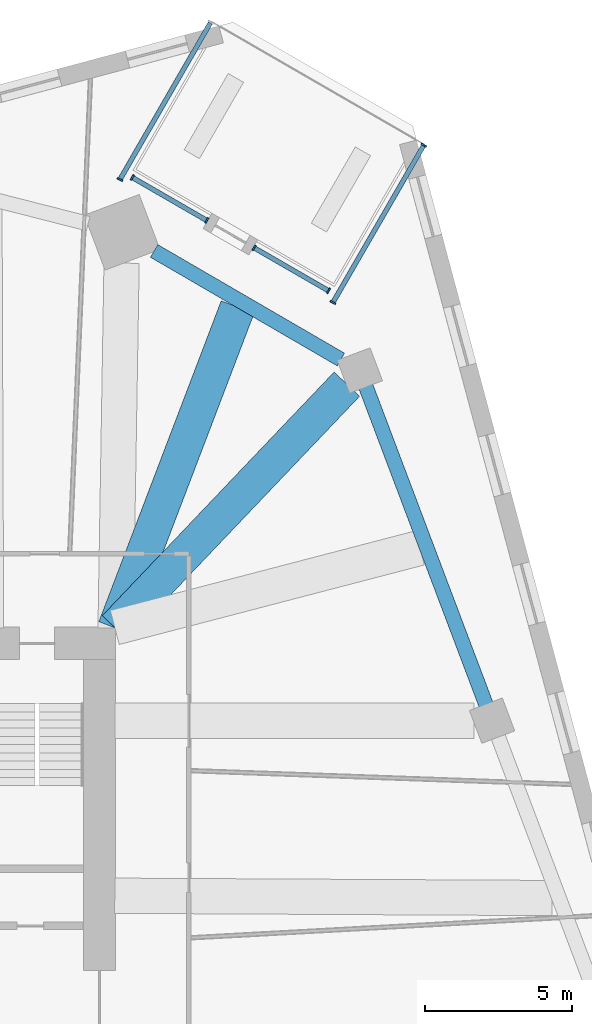
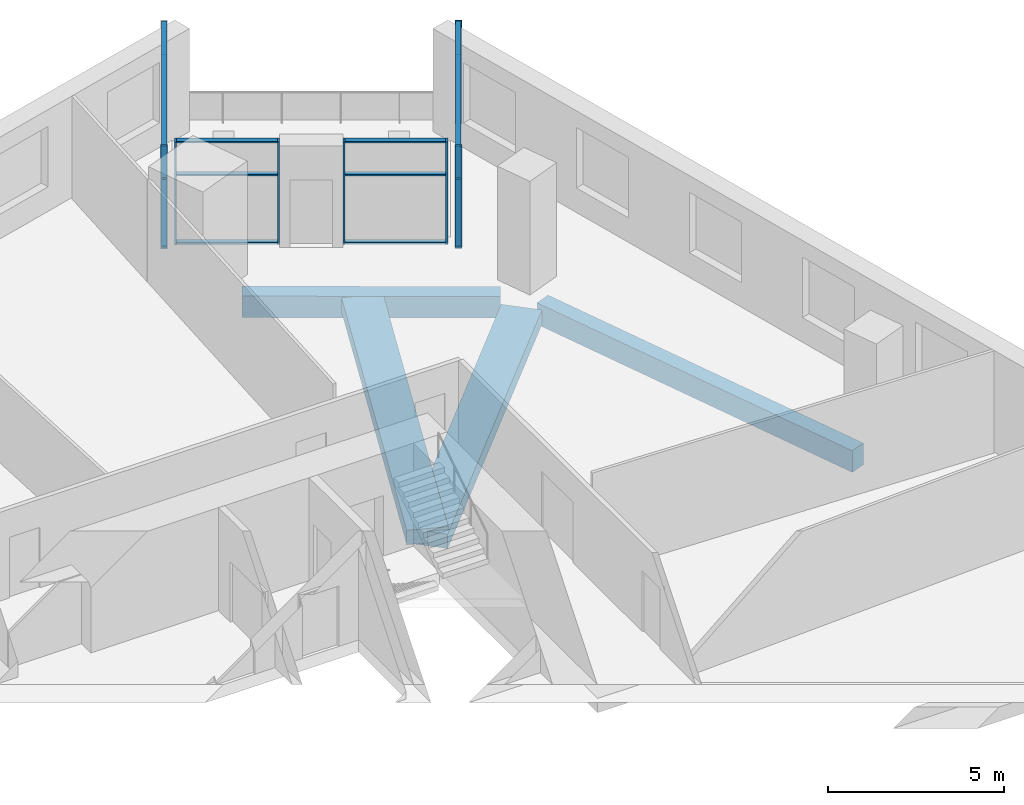
# One storey, part 2 of 13: 19 members, 4 beams, 4 elements without a shape of their own.
"""IFC4 building model written with IfcOpenShell, lengths in metres."""

from ifc_helpers import new_model, si_unit, direction, frame, origin, origin_2d, place, context, subcontext, project, spatial, rectangle, extrude, material, material_profile, profile_set, type_object, element, aggregate, save


model = new_model("IFC4")

# Units and contexts
model_context = context("Model", 3, precision=1e-05, world=origin(), true_north=direction((0.0, 1.0)))
body_context = subcontext(model_context, "Body", "Model", "MODEL_VIEW")
ifc_project = project(units=[si_unit("LENGTHUNIT", "METRE"), si_unit("AREAUNIT", "SQUARE_METRE"), si_unit("VOLUMEUNIT", "CUBIC_METRE"), si_unit("PLANEANGLEUNIT", "RADIAN"), si_unit("MASSUNIT", "GRAM", prefix="KILO")], contexts=[model_context])

# Site, building, storey
site_placement = place(None, origin())
site = spatial("IfcSite", under=ifc_project, at=site_placement, CompositionType="ELEMENT")
building_placement = place(site_placement, origin())
building = spatial("IfcBuilding", under=site, at=building_placement, Name="Dilmun Exchange Tower", CompositionType="ELEMENT")
storey_placement = place(building_placement, frame((0.0, 0.0, 86.10009765625)))
storey = spatial("IfcBuildingStorey", under=building, at=storey_placement, Name="L19", CompositionType="ELEMENT", Elevation=86.10009765625)

# Curtain wall, members
ifc_material_1 = material(Name="Anodised aluminium and clear glass", Category="aluminium")
curtain_wall_type = type_object("IfcCurtainWallType", Name="Garden corner glazing", PredefinedType="NOTDEFINED", material=ifc_material_1)
curtain_wall_1_placement = place(storey_placement, origin())
curtain_wall_1 = element("IfcCurtainWall", 1, at=curtain_wall_1_placement, inside=storey, type_object=curtain_wall_type, Name="Garden corner glazing run GC1.1", PredefinedType="NOTDEFINED")
ifc_material_2 = material(Name="Anodised aluminium", Category="aluminium")
ifc_material_profile_1 = material_profile(ifc_material_2, rectangle(XDim=0.199951171875, YDim=0.06005859375, at=origin_2d()), Name="AL 60x200")
ifc_profile_set_1 = profile_set([ifc_material_profile_1], Name="Anodised aluminium")
member_type_1 = type_object("IfcMemberType", Name="Garden corner glazing mullion 60 x 200", PredefinedType="MULLION", material=ifc_profile_set_1)
member_1_placement = place(storey_placement, frame((23.399169921875, 29.322021484375, 0.0), z_axis=(0.0, 0.0, 1.0), x_axis=(0.866020829694, -0.500007922473, 0.0)))
member_1 = element("IfcMember", 2, at=member_1_placement, type_object=member_type_1, Name="GC1.1 mullion 1", PredefinedType="MULLION", context=body_context, shape_type="SweptSolid", body=[
    extrude(rectangle(XDim=0.199951171875, YDim=0.06005859375, at=origin_2d()), origin(), (0.0, 0.0, 1.0), 3.579833984375),
])
member_2_placement = place(storey_placement, frame((20.305908203125, 23.96435546875, 0.0), z_axis=(0.0, 0.0, 1.0), x_axis=(0.866020829694, -0.500007922473, 0.0)))
member_2 = element("IfcMember", 3, at=member_2_placement, type_object=member_type_1, Name="GC1.1 mullion 2", PredefinedType="MULLION", context=body_context, shape_type="SweptSolid", body=[
    extrude(rectangle(XDim=0.199951171875, YDim=0.06005859375, at=origin_2d()), origin(), (0.0, 0.0, 1.0), 3.579833984375),
])

curtain_wall_2_placement = place(storey_placement, origin())
curtain_wall_2 = element("IfcCurtainWall", 4, at=curtain_wall_2_placement, inside=storey, type_object=curtain_wall_type, Name="Garden corner glazing run GC2.1", PredefinedType="NOTDEFINED")
member_3_placement = place(storey_placement, frame((20.155029296875, 24.363037109375, 0.0), z_axis=(0.0, 0.0, 1.0), x_axis=(-0.500017838036, -0.866015104744, 0.0)))
member_3 = element("IfcMember", 5, at=member_3_placement, type_object=member_type_1, Name="GC2.1 mullion 1", PredefinedType="MULLION", context=body_context, shape_type="SweptSolid", body=[
    extrude(rectangle(XDim=0.199951171875, YDim=0.06005859375, at=origin_2d()), origin(), (0.0, 0.0, 1.0), 3.579833984375),
])
member_4_placement = place(storey_placement, frame((17.618408203125, 25.82763671875, 0.0), z_axis=(0.0, 0.0, 1.0), x_axis=(-0.500017838036, -0.866015104744, 0.0)))
member_4 = element("IfcMember", 6, at=member_4_placement, type_object=member_type_1, Name="GC2.1 mullion 2", PredefinedType="MULLION", context=body_context, shape_type="SweptSolid", body=[
    extrude(rectangle(XDim=0.199951171875, YDim=0.06005859375, at=origin_2d()), origin(), (0.0, 0.0, 1.0), 3.579833984375),
])

curtain_wall_3_placement = place(storey_placement, origin())
curtain_wall_3 = element("IfcCurtainWall", 7, at=curtain_wall_3_placement, inside=storey, type_object=curtain_wall_type, Name="Garden corner glazing run GC2.3", PredefinedType="NOTDEFINED")
member_5_placement = place(storey_placement, frame((16.0078125, 26.7578125, 0.0), z_axis=(0.0, 0.0, 1.0), x_axis=(-0.499978260611, -0.866037954663, 0.0)))
member_5 = element("IfcMember", 8, at=member_5_placement, type_object=member_type_1, Name="GC2.3 mullion 1", PredefinedType="MULLION", context=body_context, shape_type="SweptSolid", body=[
    extrude(rectangle(XDim=0.199951171875, YDim=0.06005859375, at=origin_2d()), origin(), (0.0, 0.0, 1.0), 3.579833984375),
])
member_6_placement = place(storey_placement, frame((13.470947265625, 28.22216796875, 0.0), z_axis=(0.0, 0.0, 1.0), x_axis=(-0.499978260611, -0.866037954663, 0.0)))
member_6 = element("IfcMember", 9, at=member_6_placement, type_object=member_type_1, Name="GC2.3 mullion 2", PredefinedType="MULLION", context=body_context, shape_type="SweptSolid", body=[
    extrude(rectangle(XDim=0.199951171875, YDim=0.06005859375, at=origin_2d()), origin(), (0.0, 0.0, 1.0), 3.579833984375),
])

# Curtain wall, member
curtain_wall_4_placement = place(storey_placement, origin())
curtain_wall_4 = element("IfcCurtainWall", 10, at=curtain_wall_4_placement, inside=storey, type_object=curtain_wall_type, Name="Garden corner glazing run GC3.1", PredefinedType="NOTDEFINED")
member_7_placement = place(storey_placement, frame((13.05029296875, 28.1533203125, 0.0), z_axis=(0.0, 0.0, 1.0), x_axis=(-0.866027761828, 0.499995915726, 0.0)))
member_7 = element("IfcMember", 11, at=member_7_placement, type_object=member_type_1, Name="GC3.1 mullion 1", PredefinedType="MULLION", context=body_context, shape_type="SweptSolid", body=[
    extrude(rectangle(XDim=0.199951171875, YDim=0.06005859375, at=origin_2d()), origin(), (0.0, 0.0, 1.0), 3.579833984375),
])

# Member
ifc_material_profile_2 = material_profile(ifc_material_2, rectangle(XDim=0.159912109375, YDim=0.06005859375, at=origin_2d()), Name="AL 60x160")
ifc_profile_set_2 = profile_set([ifc_material_profile_2], Name="Anodised aluminium")
member_type_2 = type_object("IfcMemberType", Name="Garden corner glazing transom 60 x 160", PredefinedType="USERDEFINED", material=ifc_profile_set_2)
member_8_placement = place(storey_placement, frame((23.38427734375, 29.2958984375, 0.02978515625), z_axis=(-0.500030602552, -0.866007734672, 0.0), x_axis=(0.866007734672, -0.500030602552, 0.0)))
member_8 = element("IfcMember", 12, at=member_8_placement, type_object=member_type_2, Name="GC1.1 transom 1.1", ObjectType="TRANSOM", PredefinedType="USERDEFINED", context=body_context, shape_type="SweptSolid", body=[
    extrude(rectangle(XDim=0.159912109375, YDim=0.06005859375, at=origin_2d()), origin(), (0.0, 0.0, 1.0), 6.12646484375),
])

member_9_placement = place(storey_placement, frame((23.38427734375, 29.2958984375, 2.39990234375), z_axis=(-0.500030602552, -0.866007734672, 0.0), x_axis=(0.866007734672, -0.500030602552, 0.0)))
member_9 = element("IfcMember", 13, at=member_9_placement, type_object=member_type_2, Name="GC1.1 transom 1.2", ObjectType="TRANSOM", PredefinedType="USERDEFINED", context=body_context, shape_type="SweptSolid", body=[
    extrude(rectangle(XDim=0.159912109375, YDim=0.06005859375, at=origin_2d()), origin(), (0.0, 0.0, 1.0), 6.12646484375),
])

member_10_placement = place(storey_placement, frame((23.38427734375, 29.2958984375, 3.5498046875), z_axis=(-0.500030602552, -0.866007734672, 0.0), x_axis=(0.866007734672, -0.500030602552, 0.0)))
member_10 = element("IfcMember", 14, at=member_10_placement, type_object=member_type_2, Name="GC1.1 transom 1.3", ObjectType="TRANSOM", PredefinedType="USERDEFINED", context=body_context, shape_type="SweptSolid", body=[
    extrude(rectangle(XDim=0.159912109375, YDim=0.06005859375, at=origin_2d()), origin(), (0.0, 0.0, 1.0), 6.12646484375),
])

aggregate(curtain_wall_1, [member_1, member_2, member_8, member_9, member_10])

member_11_placement = place(storey_placement, frame((20.129150390625, 24.378173828125, 0.02978515625), z_axis=(-0.866014116846, 0.500019549041, 0.0), x_axis=(-0.500019549041, -0.866014116846, 0.0)))
member_11 = element("IfcMember", 15, at=member_11_placement, type_object=member_type_2, Name="GC2.1 transom 1.1", ObjectType="TRANSOM", PredefinedType="USERDEFINED", context=body_context, shape_type="SweptSolid", body=[
    extrude(rectangle(XDim=0.159912109375, YDim=0.06005859375, at=origin_2d()), origin(), (0.0, 0.0, 1.0), 2.869140625),
])

member_12_placement = place(storey_placement, frame((20.129150390625, 24.378173828125, 2.39990234375), z_axis=(-0.866014116846, 0.500019549041, 0.0), x_axis=(-0.500019549041, -0.866014116846, 0.0)))
member_12 = element("IfcMember", 16, at=member_12_placement, type_object=member_type_2, Name="GC2.1 transom 1.2", ObjectType="TRANSOM", PredefinedType="USERDEFINED", context=body_context, shape_type="SweptSolid", body=[
    extrude(rectangle(XDim=0.159912109375, YDim=0.06005859375, at=origin_2d()), origin(), (0.0, 0.0, 1.0), 2.869140625),
])

member_13_placement = place(storey_placement, frame((20.129150390625, 24.378173828125, 3.5498046875), z_axis=(-0.866014116846, 0.500019549041, 0.0), x_axis=(-0.500019549041, -0.866014116846, 0.0)))
member_13 = element("IfcMember", 17, at=member_13_placement, type_object=member_type_2, Name="GC2.1 transom 1.3", ObjectType="TRANSOM", PredefinedType="USERDEFINED", context=body_context, shape_type="SweptSolid", body=[
    extrude(rectangle(XDim=0.159912109375, YDim=0.06005859375, at=origin_2d()), origin(), (0.0, 0.0, 1.0), 2.869140625),
])

aggregate(curtain_wall_2, [member_3, member_4, member_11, member_12, member_13])

member_14_placement = place(storey_placement, frame((15.981689453125, 26.772705078125, 0.02978515625), z_axis=(-0.866014116846, 0.500019549041, 0.0), x_axis=(-0.500019549041, -0.866014116846, 0.0)))
member_14 = element("IfcMember", 18, at=member_14_placement, type_object=member_type_2, Name="GC2.3 transom 1.1", ObjectType="TRANSOM", PredefinedType="USERDEFINED", context=body_context, shape_type="SweptSolid", body=[
    extrude(rectangle(XDim=0.159912109375, YDim=0.06005859375, at=origin_2d()), origin(), (0.0, 0.0, 1.0), 2.869140625),
])

member_15_placement = place(storey_placement, frame((15.981689453125, 26.772705078125, 2.39990234375), z_axis=(-0.866014116846, 0.500019549041, 0.0), x_axis=(-0.500019549041, -0.866014116846, 0.0)))
member_15 = element("IfcMember", 19, at=member_15_placement, type_object=member_type_2, Name="GC2.3 transom 1.2", ObjectType="TRANSOM", PredefinedType="USERDEFINED", context=body_context, shape_type="SweptSolid", body=[
    extrude(rectangle(XDim=0.159912109375, YDim=0.06005859375, at=origin_2d()), origin(), (0.0, 0.0, 1.0), 2.869140625),
])

member_16_placement = place(storey_placement, frame((15.981689453125, 26.772705078125, 3.5498046875), z_axis=(-0.866014116846, 0.500019549041, 0.0), x_axis=(-0.500019549041, -0.866014116846, 0.0)))
member_16 = element("IfcMember", 20, at=member_16_placement, type_object=member_type_2, Name="GC2.3 transom 1.3", ObjectType="TRANSOM", PredefinedType="USERDEFINED", context=body_context, shape_type="SweptSolid", body=[
    extrude(rectangle(XDim=0.159912109375, YDim=0.06005859375, at=origin_2d()), origin(), (0.0, 0.0, 1.0), 2.869140625),
])

aggregate(curtain_wall_3, [member_5, member_6, member_14, member_15, member_16])

member_17_placement = place(storey_placement, frame((13.065185546875, 28.179443359375, 0.02978515625), z_axis=(0.500000715809, 0.866024990512, 0.0), x_axis=(-0.866024990512, 0.500000715809, 0.0)))
member_17 = element("IfcMember", 21, at=member_17_placement, type_object=member_type_2, Name="GC3.1 transom 1.1", ObjectType="TRANSOM", PredefinedType="USERDEFINED", context=body_context, shape_type="SweptSolid", body=[
    extrude(rectangle(XDim=0.159912109375, YDim=0.06005859375, at=origin_2d()), origin(), (0.0, 0.0, 1.0), 6.12646484375),
])

member_18_placement = place(storey_placement, frame((13.065185546875, 28.179443359375, 2.39990234375), z_axis=(0.500000715809, 0.866024990512, 0.0), x_axis=(-0.866024990512, 0.500000715809, 0.0)))
member_18 = element("IfcMember", 22, at=member_18_placement, type_object=member_type_2, Name="GC3.1 transom 1.2", ObjectType="TRANSOM", PredefinedType="USERDEFINED", context=body_context, shape_type="SweptSolid", body=[
    extrude(rectangle(XDim=0.159912109375, YDim=0.06005859375, at=origin_2d()), origin(), (0.0, 0.0, 1.0), 6.12646484375),
])

member_19_placement = place(storey_placement, frame((13.065185546875, 28.179443359375, 3.5498046875), z_axis=(0.500000715809, 0.866024990512, 0.0), x_axis=(-0.866024990512, 0.500000715809, 0.0)))
member_19 = element("IfcMember", 23, at=member_19_placement, type_object=member_type_2, Name="GC3.1 transom 1.3", ObjectType="TRANSOM", PredefinedType="USERDEFINED", context=body_context, shape_type="SweptSolid", body=[
    extrude(rectangle(XDim=0.159912109375, YDim=0.06005859375, at=origin_2d()), origin(), (0.0, 0.0, 1.0), 6.12646484375),
])

aggregate(curtain_wall_4, [member_7, member_17, member_18, member_19])

# Beams
ifc_material_3 = material(Name="Concrete C40/50", Category="concrete")
ifc_material_profile_3 = material_profile(ifc_material_3, rectangle(XDim=1.199951171875, YDim=0.5, at=origin_2d()), Name="1200 x 500")
ifc_profile_set_3 = profile_set([ifc_material_profile_3], Name="Concrete C40/50")
beam_type_1 = type_object("IfcBeamType", Name="RC band beam 1200 x 500 C40/50", PredefinedType="BEAM", material=ifc_profile_set_3)
beam_1_placement = place(storey_placement, frame((20.780517578125, 21.181884765625, -0.77001953125), z_axis=(-0.689333244672, -0.724444392476, 0.0), x_axis=(0.724444392476, -0.689333244672, 0.0)))
element("IfcBeam", 24, at=beam_1_placement, inside=storey, type_object=beam_type_1, Name="Band beam 16", PredefinedType="BEAM", context=body_context, shape_type="SweptSolid", body=[
    extrude(rectangle(XDim=1.199951171875, YDim=0.5, at=origin_2d()), origin(), (0.0, 0.0, 1.0), 11.459228515625),
])
beam_2_placement = place(storey_placement, frame((17.059326171875, 23.806640625, -0.670166015625), z_axis=(-0.356325045493, -0.934362061491, 0.0), x_axis=(0.934362061491, -0.356325045493, 0.0)))
element("IfcBeam", 25, at=beam_2_placement, inside=storey, type_object=beam_type_1, Name="Band beam 32", PredefinedType="BEAM", context=body_context, shape_type="SweptSolid", body=[
    extrude(rectangle(XDim=1.199951171875, YDim=0.5, at=origin_2d()), origin(), (0.0, 0.0, 1.0), 11.699951171875),
])
ifc_material_profile_4 = material_profile(ifc_material_3, rectangle(XDim=0.5, YDim=0.75, at=origin_2d()), Name="500 x 750")
ifc_profile_set_4 = profile_set([ifc_material_profile_4], Name="Concrete C40/50")
beam_type_2 = type_object("IfcBeamType", Name="RC ring beam 500 x 750 C40/50", PredefinedType="SPANDREL", material=ifc_profile_set_4)
beam_3_placement = place(storey_placement, frame((25.5234375, 10.2529296875, -0.795166015625), z_axis=(-0.353303601311, 0.935508720056, 0.0), x_axis=(-0.935508720056, -0.353303601311, 0.0)))
element("IfcBeam", 26, at=beam_3_placement, inside=storey, type_object=beam_type_2, Name="Ring beam 15", PredefinedType="SPANDREL", context=body_context, shape_type="SweptSolid", body=[
    extrude(rectangle(XDim=0.5, YDim=0.75, at=origin_2d()), origin(), (0.0, 0.0, 1.0), 11.604248046875),
])
beam_4_placement = place(storey_placement, frame((20.57568359375, 22.020263671875, -0.795166015625), z_axis=(-0.864503499359, 0.50262679952, 0.0), x_axis=(-0.50262679952, -0.864503499359, 0.0)))
element("IfcBeam", 27, at=beam_4_placement, inside=storey, type_object=beam_type_2, Name="Ring beam 16", PredefinedType="SPANDREL", context=body_context, shape_type="SweptSolid", body=[
    extrude(rectangle(XDim=0.5, YDim=0.75, at=origin_2d()), origin(), (0.0, 0.0, 1.0), 7.35986328125),
])

save(model, "model.ifc")
